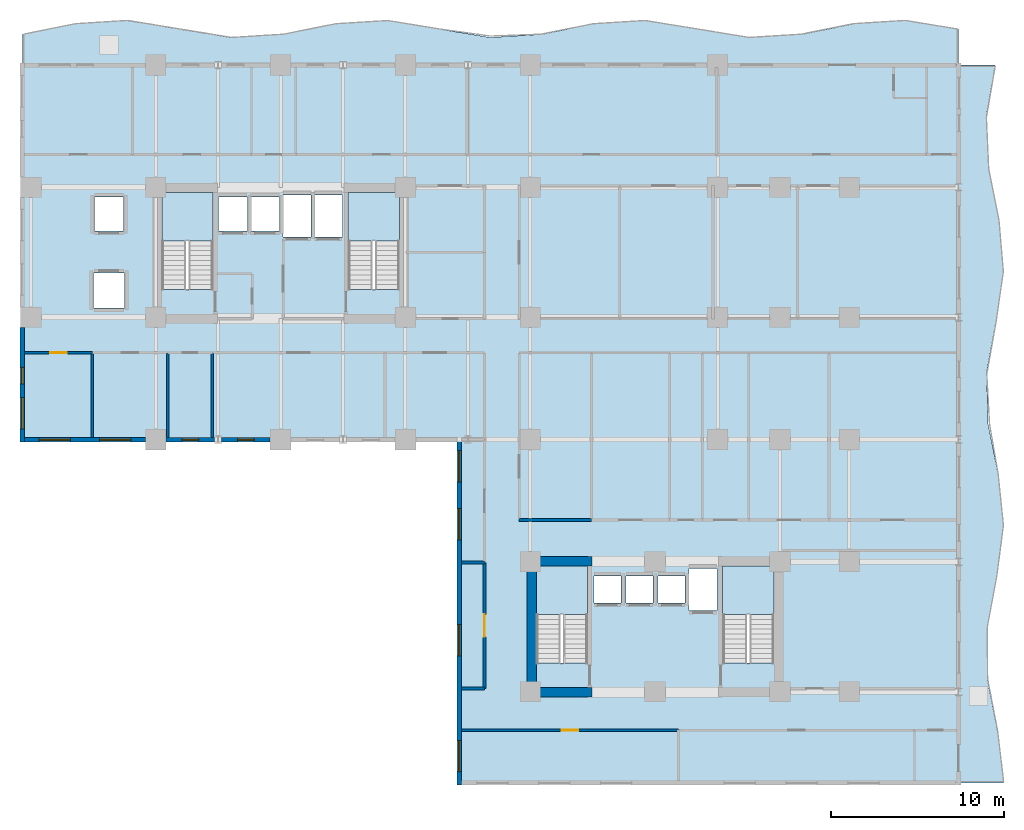
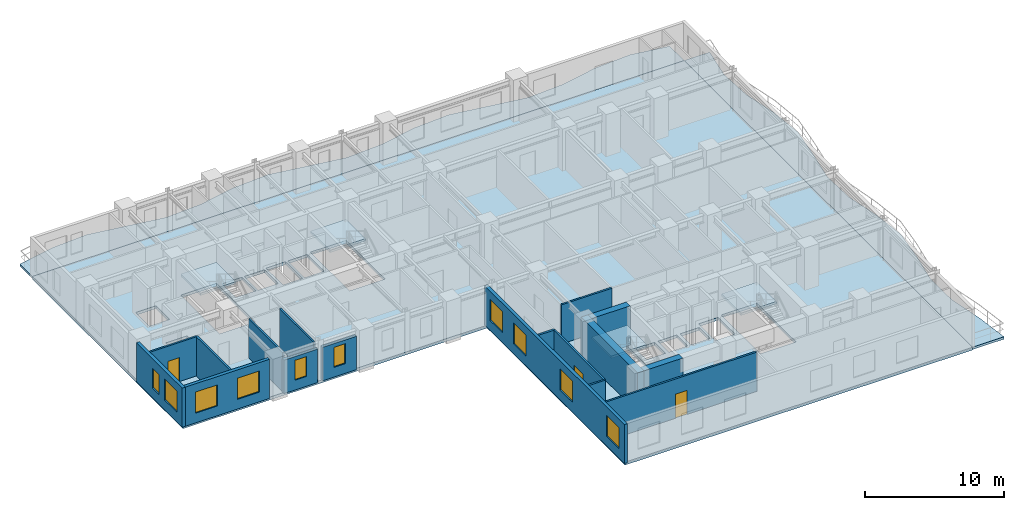
# One storey, part 2 of 11: 17 walls, 10 windows, 7 slabs, 3 doors, 13 openings, 4 elements without a shape of their own.
"""IFC4 building model written with IfcOpenShell, lengths in metres."""

from ifc_helpers import new_model, si_unit, direction, frame, frame_2d, origin, place, context, subcontext, project, spatial, polyline, rectangle, outline, extrude, material, layer, layer_set, type_object, element, fill, aggregate, save


model = new_model("IFC4")

# Units and contexts
model_context = context("Model", 3, precision=1e-05, world=origin(), true_north=direction((0.0, 1.0)))
body_context = subcontext(model_context, "Body", "Model", "MODEL_VIEW")
ifc_project = project(units=[si_unit("LENGTHUNIT", "METRE"), si_unit("AREAUNIT", "SQUARE_METRE"), si_unit("VOLUMEUNIT", "CUBIC_METRE"), si_unit("PLANEANGLEUNIT", "RADIAN"), si_unit("MASSUNIT", "GRAM", prefix="KILO")], contexts=[model_context])

# Site, building, storey
site_placement = place(None, origin())
site = spatial("IfcSite", under=ifc_project, at=site_placement, CompositionType="ELEMENT")
building_placement = place(site_placement, origin())
building = spatial("IfcBuilding", under=site, at=building_placement, Name="Kaliganga Portal Commons", CompositionType="ELEMENT")
storey_placement = place(building_placement, frame((0.0, 0.0, 86.0)))
storey = spatial("IfcBuildingStorey", under=building, at=storey_placement, Name="L21", CompositionType="ELEMENT", Elevation=86.0)

# Slabs
ifc_material_1 = material(Name="Concrete C40/50", Category="concrete")
ifc_layer_1 = layer(ifc_material_1, 0.2099609375)
ifc_layer_set_1 = layer_set([ifc_layer_1], Name="Concrete C40/50")
slab_type_1 = type_object("IfcSlabType", Name="SLB-BALC-210", PredefinedType="FLOOR", material=ifc_layer_set_1)
slab_1_placement = place(storey_placement, frame((0.0, 0.0, -0.2099609375)))
element("IfcSlab", 1, at=slab_1_placement, inside=storey, type_object=slab_type_1, Name="Scalloped Tree-Planter Balcony Slab L21 balc_north", PredefinedType="FLOOR", context=body_context, shape_type="SweptSolid", body=[
    extrude(outline(polyline([(60.699951171875, 43.199951171875), (60.699951171875, 45.282470703125), (57.699951171875, 45.774658203125), (54.699951171875, 45.586669921875), (51.699951171875, 44.97802734375), (48.699951171875, 44.7900390625), (45.699951171875, 45.282470703125), (42.699951171875, 45.774658203125), (39.699951171875, 45.586669921875), (36.699951171875, 44.97802734375), (33.699951171875, 44.7900390625), (30.699951171875, 45.282470703125), (27.699951171875, 45.774658203125), (24.699951171875, 45.586669921875), (21.699951171875, 44.97802734375), (18.699951171875, 44.7900390625), (15.699951171875, 45.282470703125), (12.699951171875, 45.774658203125), (9.699951171875, 45.586669921875), (6.699951171875, 44.97802734375), (6.699951171875, 43.199951171875), (60.699951171875, 43.199951171875)])), origin(), (0.0, 0.0, 1.0), 0.2099609375),
])
slab_2_placement = place(storey_placement, frame((0.0, 0.0, -0.2099609375)))
element("IfcSlab", 2, at=slab_2_placement, inside=storey, type_object=slab_type_1, Name="Scalloped Tree-Planter Balcony Slab L21 balc_east", PredefinedType="FLOOR", context=body_context, shape_type="SweptSolid", body=[
    extrude(outline(polyline([(60.699951171875, 1.800048828125), (63.300048828125, 1.800048828125), (62.951171875, 4.757080078125), (62.374755859375, 7.71435546875), (62.347900390625, 10.67138671875), (62.906494140625, 13.628662109375), (63.2978515625, 16.585693359375), (62.994384765625, 19.54296875), (62.405029296875, 22.5), (62.32421875, 25.45703125), (62.861083984375, 28.414306640625), (63.291748046875, 31.371337890625), (63.035888671875, 34.32861328125), (62.438232421875, 37.28564453125), (62.304443359375, 40.242919921875), (62.81494140625, 43.199951171875), (60.699951171875, 43.199951171875), (60.699951171875, 1.800048828125)])), origin(), (0.0, 0.0, 1.0), 0.2099609375),
])

# Stair, slab
stair_type = type_object("IfcStairType", Name="ST-CORE-DOGLEG", PredefinedType="HALF_TURN_STAIR", material=ifc_material_1)
stair_1_placement = place(storey_placement, origin())
stair_1 = element("IfcStair", 3, at=stair_1_placement, inside=storey, type_object=stair_type, Name="L21 Protected Exit Stair ST-A1", PredefinedType="HALF_TURN_STAIR")
ifc_layer_2 = layer(ifc_material_1, 0.199951171875)
ifc_layer_set_2 = layer_set([ifc_layer_2], Name="Concrete C40/50")
slab_type_2 = type_object("IfcSlabType", Name="SLB-STAIR-LND", PredefinedType="LANDING", material=ifc_layer_set_2)
slab_3_placement = place(storey_placement, frame((0.0, 0.0, 1.64990234375)))
slab_3 = element("IfcSlab", 4, at=slab_3_placement, type_object=slab_type_2, Name="ST-A1 landing 1", PredefinedType="LANDING", context=body_context, shape_type="SweptSolid", body=[
    extrude(outline(polyline([(17.699951171875, 33.050048828125), (17.699951171875, 35.85009765625), (14.75, 35.85009765625), (14.75, 33.050048828125), (17.699951171875, 33.050048828125)])), origin(), (0.0, 0.0, 1.0), 0.2001953125),
])
aggregate(stair_1, [slab_3])

stair_2_placement = place(storey_placement, origin())
stair_2 = element("IfcStair", 5, at=stair_2_placement, inside=storey, type_object=stair_type, Name="L21 Protected Exit Stair ST-A2", PredefinedType="HALF_TURN_STAIR")
slab_4_placement = place(storey_placement, frame((0.0, 0.0, 1.64990234375)))
slab_4 = element("IfcSlab", 6, at=slab_4_placement, type_object=slab_type_2, Name="ST-A2 landing 1", PredefinedType="LANDING", context=body_context, shape_type="SweptSolid", body=[
    extrude(outline(polyline([(28.449951171875, 33.050048828125), (28.449951171875, 35.85009765625), (25.5, 35.85009765625), (25.5, 33.050048828125), (28.449951171875, 33.050048828125)])), origin(), (0.0, 0.0, 1.0), 0.2001953125),
])
aggregate(stair_2, [slab_4])

stair_3_placement = place(storey_placement, origin())
stair_3 = element("IfcStair", 7, at=stair_3_placement, inside=storey, type_object=stair_type, Name="L21 Protected Exit Stair ST-B1", PredefinedType="HALF_TURN_STAIR")
slab_5_placement = place(storey_placement, frame((0.0, 0.0, 1.64990234375)))
slab_5 = element("IfcSlab", 8, at=slab_5_placement, type_object=slab_type_2, Name="ST-B1 landing 1", PredefinedType="LANDING", context=body_context, shape_type="SweptSolid", body=[
    extrude(outline(polyline([(39.300048828125, 11.5), (39.300048828125, 14.300048828125), (36.35009765625, 14.300048828125), (36.35009765625, 11.5), (39.300048828125, 11.5)])), origin(), (0.0, 0.0, 1.0), 0.2001953125),
])
aggregate(stair_3, [slab_5])

stair_4_placement = place(storey_placement, origin())
stair_4 = element("IfcStair", 9, at=stair_4_placement, inside=storey, type_object=stair_type, Name="L21 Protected Exit Stair ST-B2", PredefinedType="HALF_TURN_STAIR")
slab_6_placement = place(storey_placement, frame((0.0, 0.0, 1.64990234375)))
slab_6 = element("IfcSlab", 10, at=slab_6_placement, type_object=slab_type_2, Name="ST-B2 landing 1", PredefinedType="LANDING", context=body_context, shape_type="SweptSolid", body=[
    extrude(outline(polyline([(50.050048828125, 11.5), (50.050048828125, 14.300048828125), (47.10009765625, 14.300048828125), (47.10009765625, 11.5), (50.050048828125, 11.5)])), origin(), (0.0, 0.0, 1.0), 0.2001953125),
])
aggregate(stair_4, [slab_6])

# Slab
ifc_layer_3 = layer(ifc_material_1, 0.25)
ifc_layer_set_3 = layer_set([ifc_layer_3], Name="Concrete C40/50")
slab_type_3 = type_object("IfcSlabType", Name="SLB-TWR-250", PredefinedType="FLOOR", material=ifc_layer_set_3)
slab_7_placement = place(storey_placement, frame((0.0, 0.0, -0.25)))
element("IfcSlab", 11, at=slab_7_placement, inside=storey, type_object=slab_type_3, Name="Structural Floor Slab L21", PredefinedType="FLOOR", context=body_context, shape_type="SweptSolid", body=[
    extrude(outline(polyline([(31.89990234375, 1.800048828125), (60.699951171875, 1.800048828125), (60.699951171875, 43.199951171875), (6.699951171875, 43.199951171875), (6.699951171875, 21.60009765625), (31.89990234375, 21.60009765625), (31.89990234375, 1.800048828125)]), holes=[polyline([(14.75, 30.25390625), (14.75, 35.85009765625), (17.699951171875, 35.85009765625), (17.699951171875, 30.25390625), (14.75, 30.25390625)]), polyline([(25.5, 30.25390625), (25.5, 35.85009765625), (28.449951171875, 35.85009765625), (28.449951171875, 30.25390625), (25.5, 30.25390625)]), polyline([(36.35009765625, 8.7041015625), (36.35009765625, 14.300048828125), (39.300048828125, 14.300048828125), (39.300048828125, 8.7041015625), (36.35009765625, 8.7041015625)]), polyline([(47.10009765625, 8.7041015625), (47.10009765625, 14.300048828125), (50.050048828125, 14.300048828125), (50.050048828125, 8.7041015625), (47.10009765625, 8.7041015625)]), polyline([(18.014892578125, 33.614990234375), (18.014892578125, 35.5849609375), (19.68505859375, 35.5849609375), (19.68505859375, 33.614990234375), (18.014892578125, 33.614990234375)]), polyline([(19.864990234375, 33.614990234375), (19.864990234375, 35.5849609375), (21.534912109375, 35.5849609375), (21.534912109375, 33.614990234375), (19.864990234375, 33.614990234375)]), polyline([(10.81494140625, 29.18994140625), (10.81494140625, 31.2099609375), (12.5849609375, 31.2099609375), (12.5849609375, 29.18994140625), (10.81494140625, 29.18994140625)]), polyline([(10.864990234375, 33.614990234375), (10.864990234375, 35.5849609375), (12.534912109375, 35.5849609375), (12.534912109375, 33.614990234375), (10.864990234375, 33.614990234375)]), polyline([(21.739990234375, 33.2900390625), (21.739990234375, 35.7099609375), (23.360107421875, 35.7099609375), (23.360107421875, 33.2900390625), (21.739990234375, 33.2900390625)]), polyline([(23.5400390625, 33.2900390625), (23.5400390625, 35.7099609375), (25.159912109375, 35.7099609375), (25.159912109375, 33.2900390625), (23.5400390625, 33.2900390625)]), polyline([(39.6650390625, 12.1650390625), (39.6650390625, 13.735107421875), (41.235107421875, 13.735107421875), (41.235107421875, 12.1650390625), (39.6650390625, 12.1650390625)]), polyline([(41.514892578125, 12.1650390625), (41.514892578125, 13.735107421875), (43.0849609375, 13.735107421875), (43.0849609375, 12.1650390625), (41.514892578125, 12.1650390625)]), polyline([(43.364990234375, 12.1650390625), (43.364990234375, 13.735107421875), (44.93505859375, 13.735107421875), (44.93505859375, 12.1650390625), (43.364990234375, 12.1650390625)]), polyline([(45.139892578125, 11.739990234375), (45.139892578125, 14.159912109375), (46.760009765625, 14.159912109375), (46.760009765625, 11.739990234375), (45.139892578125, 11.739990234375)])]), origin(), (0.0, 0.0, 1.0), 0.25),
])

# Walls
ifc_material_2 = material(Name="Concrete C60/75", Category="concrete")
ifc_layer_4 = layer(ifc_material_2, 0.550048828125)
ifc_layer_set_4 = layer_set([ifc_layer_4], Name="Concrete C60/75")
wall_type_1 = type_object("IfcWallType", Name="WL-CORE-550", PredefinedType="SHEAR", material=ifc_layer_set_4)
wall_1_placement = place(storey_placement, frame((36.074951171875, 6.75, 0.0), z_axis=(0.0, 0.0, 1.0), x_axis=(0.0, 1.0, 0.0)))
element("IfcWall", 12, at=wall_1_placement, inside=storey, type_object=wall_type_1, Name="Core B West Shear Wall L21", PredefinedType="SHEAR", context=body_context, shape_type="SweptSolid", body=[
    extrude(rectangle(XDim=8.10009765625, YDim=0.550048828125, at=frame_2d((4.050048828125, 0.0))), origin(), (0.0, 0.0, 1.0), 3.449951171875),
])
for number, where, z_axis, x_axis, name in (
    (13, (36.35009765625, 7.02490234375, 0.0), (0.0, 0.0, 1.0), (1.0, 0.0, 0.0), "Core B S-West Shear Wall L21"),
    (14, (36.35009765625, 14.574951171875, 0.0), (0.0, 0.0, 1.0), (1.0, 0.0, 0.0), "Core B N-West Shear Wall L21"),
):
    element("IfcWall", number, at=place(storey_placement, frame(where, z_axis=z_axis, x_axis=x_axis)), inside=storey, type_object=wall_type_1, Name=name, PredefinedType="SHEAR", context=body_context, shape_type="SweptSolid", body=[
        extrude(rectangle(XDim=3.199951171875, YDim=0.550048828125, at=frame_2d((1.60009765625, 0.0))), origin(), (0.0, 0.0, 1.0), 3.449951171875),
    ])

# Wall, openings, windows
ifc_material_3 = material(Name="Insulated Aluminium-Clad Spandrel Assembly", Category="aluminium")
ifc_layer_5 = layer(ifc_material_3, 0.260009765625)
ifc_layer_set_5 = layer_set([ifc_layer_5], Name="Insulated Aluminium-Clad Spandrel Assembly")
wall_type_2 = type_object("IfcWallType", Name="WL-EXT-SPAND-260", PredefinedType="STANDARD", material=ifc_layer_set_5)
wall_2_placement = place(storey_placement, frame((6.699951171875, 21.469970703125, 0.0), z_axis=(0.0, 0.0, 1.0), x_axis=(0.0, 1.0, 0.0)))
wall_2 = element("IfcWall", 15, at=wall_2_placement, inside=storey, type_object=wall_type_2, Name="Exterior Envelope Wall L21 P1-E03-S3", PredefinedType="STANDARD", context=body_context, shape_type="SweptSolid", body=[
    extrude(rectangle(XDim=6.5791015625, YDim=0.260009765625, at=frame_2d((3.28955078125, 0.0))), origin(), (0.0, 0.0, 1.0), 3.429931640625),
])
opening_1_placement = place(wall_2_placement, frame((0.744873046875, 0.0, 0.85009765625)))
opening_1 = element("IfcOpeningElement", 16, at=opening_1_placement, cuts=wall_2, Name="Opening W-01", PredefinedType="OPENING", context=body_context, shape_type="SweptSolid", body=[
    extrude(rectangle(XDim=1.800048828125, YDim=1.85009765625, at=frame_2d((0.89990234375, 0.925048828125))), frame((0.0, 0.14013671875, 0.0), z_axis=(0.0, -1.0, 0.0), x_axis=(1.0, 0.0, 0.0)), (0.0, 0.0, 1.0), 0.280029296875),
])
opening_2_placement = place(wall_2_placement, frame((3.3408203125, 0.0, 0.85009765625)))
opening_2 = element("IfcOpeningElement", 17, at=opening_2_placement, cuts=wall_2, Name="Opening W-04", PredefinedType="OPENING", context=body_context, shape_type="SweptSolid", body=[
    extrude(rectangle(XDim=0.949951171875, YDim=1.75, at=frame_2d((0.47509765625, 0.875))), frame((0.0, 0.14013671875, 0.0), z_axis=(0.0, -1.0, 0.0), x_axis=(1.0, 0.0, 0.0)), (0.0, 0.0, 1.0), 0.280029296875),
])
ifc_material_4 = material(Name="Thermally Broken Aluminium and Low-E Double Glazing", Category="aluminium")
window_type_1 = type_object("IfcWindowType", Name="WIN-NARROW-950", PartitioningType="SINGLE_PANEL", PredefinedType="WINDOW", material=ifc_material_4)
window_1_placement = place(opening_2_placement, origin())
window_1 = element("IfcWindow", 18, at=window_1_placement, inside=storey, type_object=window_type_1, Name="Facade Window L21-P1E03S3-N6", OverallHeight=1.75, OverallWidth=0.949951171875, PartitioningType="SINGLE_PANEL", PredefinedType="WINDOW", context=body_context, shape_type="SweptSolid", body=[
    extrude(rectangle(XDim=0.949951171875, YDim=1.75, at=frame_2d((0.47509765625, 0.875))), frame((0.0, 0.030029296875, 0.0), z_axis=(0.0, -1.0, 0.0), x_axis=(1.0, 0.0, 0.0)), (0.0, 0.0, 1.0), 0.06005859375),
])
fill(opening_2, window_1)
window_type_2 = type_object("IfcWindowType", Name="WIN-STD-1800", PartitioningType="DOUBLE_PANEL_VERTICAL", PredefinedType="WINDOW", material=ifc_material_4)
window_2_placement = place(opening_1_placement, origin())
window_2 = element("IfcWindow", 19, at=window_2_placement, inside=storey, type_object=window_type_2, Name="Facade Window L21-P1E03S3-00", OverallHeight=1.85009765625, OverallWidth=1.800048828125, PartitioningType="SINGLE_PANEL", PredefinedType="WINDOW", context=body_context, shape_type="SweptSolid", body=[
    extrude(rectangle(XDim=1.800048828125, YDim=1.85009765625, at=frame_2d((0.89990234375, 0.925048828125))), frame((0.0, 0.030029296875, 0.0), z_axis=(0.0, -1.0, 0.0), x_axis=(1.0, 0.0, 0.0)), (0.0, 0.0, 1.0), 0.06005859375),
])
fill(opening_1, window_2)

wall_3_placement = place(storey_placement, frame((13.799072265625, 21.60009765625, 0.0), z_axis=(0.0, 0.0, 1.0), x_axis=(-1.0, 0.0, 0.0)))
wall_3 = element("IfcWall", 20, at=wall_3_placement, inside=storey, type_object=wall_type_2, Name="Exterior Envelope Wall L21 P1-E04-S1", PredefinedType="STANDARD", context=body_context, shape_type="SweptSolid", body=[
    extrude(rectangle(XDim=6.964111328125, YDim=0.260009765625, at=frame_2d((3.48193359375, 0.0))), origin(), (0.0, 0.0, 1.0), 3.429931640625),
])
opening_3_placement = place(wall_3_placement, frame((0.841064453125, 0.0, 0.85009765625)))
opening_3 = element("IfcOpeningElement", 21, at=opening_3_placement, cuts=wall_3, Name="Opening W-01", PredefinedType="OPENING", context=body_context, shape_type="SweptSolid", body=[
    extrude(rectangle(XDim=1.800048828125, YDim=1.85009765625, at=frame_2d((0.89990234375, 0.925048828125))), frame((0.0, 0.14013671875, 0.0), z_axis=(0.0, -1.0, 0.0), x_axis=(1.0, 0.0, 0.0)), (0.0, 0.0, 1.0), 0.280029296875),
])
opening_4_placement = place(wall_3_placement, frame((4.322998046875, 0.0, 0.85009765625)))
opening_4 = element("IfcOpeningElement", 22, at=opening_4_placement, cuts=wall_3, Name="Opening W-01", PredefinedType="OPENING", context=body_context, shape_type="SweptSolid", body=[
    extrude(rectangle(XDim=1.800048828125, YDim=1.85009765625, at=frame_2d((0.89990234375, 0.925048828125))), frame((0.0, 0.14013671875, 0.0), z_axis=(0.0, -1.0, 0.0), x_axis=(1.0, 0.0, 0.0)), (0.0, 0.0, 1.0), 0.280029296875),
])
window_3_placement = place(opening_3_placement, origin())
window_3 = element("IfcWindow", 23, at=window_3_placement, inside=storey, type_object=window_type_2, Name="Facade Window L21-P1E04S1-00", OverallHeight=1.85009765625, OverallWidth=1.800048828125, PartitioningType="SINGLE_PANEL", PredefinedType="WINDOW", context=body_context, shape_type="SweptSolid", body=[
    extrude(rectangle(XDim=1.800048828125, YDim=1.85009765625, at=frame_2d((0.89990234375, 0.925048828125))), frame((0.0, 0.030029296875, 0.0), z_axis=(0.0, -1.0, 0.0), x_axis=(1.0, 0.0, 0.0)), (0.0, 0.0, 1.0), 0.06005859375),
])
fill(opening_3, window_3)
window_4_placement = place(opening_4_placement, origin())
window_4 = element("IfcWindow", 24, at=window_4_placement, inside=storey, type_object=window_type_2, Name="Facade Window L21-P1E04S1-01", OverallHeight=1.85009765625, OverallWidth=1.800048828125, PartitioningType="SINGLE_PANEL", PredefinedType="WINDOW", context=body_context, shape_type="SweptSolid", body=[
    extrude(rectangle(XDim=1.800048828125, YDim=1.85009765625, at=frame_2d((0.89990234375, 0.925048828125))), frame((0.0, 0.030029296875, 0.0), z_axis=(0.0, -1.0, 0.0), x_axis=(1.0, 0.0, 0.0)), (0.0, 0.0, 1.0), 0.06005859375),
])
fill(opening_4, window_4)

# Wall, opening, window
wall_4_placement = place(storey_placement, frame((17.79443359375, 21.60009765625, 0.0), z_axis=(0.0, 0.0, 1.0), x_axis=(-1.0, 0.0, 0.0)))
wall_4 = element("IfcWall", 25, at=wall_4_placement, inside=storey, type_object=wall_type_2, Name="Exterior Envelope Wall L21 P1-E04-S2", PredefinedType="STANDARD", context=body_context, shape_type="SweptSolid", body=[
    extrude(rectangle(XDim=2.79345703125, YDim=0.260009765625, at=frame_2d((1.396728515625, 0.0))), origin(), (0.0, 0.0, 1.0), 2.929931640625),
])
opening_5_placement = place(wall_4_placement, frame((0.921630859375, 0.0, 0.85009765625)))
opening_5 = element("IfcOpeningElement", 26, at=opening_5_placement, cuts=wall_4, Name="Opening W-04", PredefinedType="OPENING", context=body_context, shape_type="SweptSolid", body=[
    extrude(rectangle(XDim=0.949951171875, YDim=1.75, at=frame_2d((0.47509765625, 0.875))), frame((0.0, 0.14013671875, 0.0), z_axis=(0.0, -1.0, 0.0), x_axis=(1.0, 0.0, 0.0)), (0.0, 0.0, 1.0), 0.280029296875),
])
window_5_placement = place(opening_5_placement, origin())
window_5 = element("IfcWindow", 27, at=window_5_placement, inside=storey, type_object=window_type_1, Name="Facade Window L21-P1E04S2-00", OverallHeight=1.75, OverallWidth=0.949951171875, PartitioningType="SINGLE_PANEL", PredefinedType="WINDOW", context=body_context, shape_type="SweptSolid", body=[
    extrude(rectangle(XDim=0.949951171875, YDim=1.75, at=frame_2d((0.47509765625, 0.875))), frame((0.0, 0.030029296875, 0.0), z_axis=(0.0, -1.0, 0.0), x_axis=(1.0, 0.0, 0.0)), (0.0, 0.0, 1.0), 0.06005859375),
])
fill(opening_5, window_5)

wall_5_placement = place(storey_placement, frame((20.9990234375, 21.60009765625, 0.0), z_axis=(0.0, 0.0, 1.0), x_axis=(-1.0, 0.0, 0.0)))
wall_5 = element("IfcWall", 28, at=wall_5_placement, inside=storey, type_object=wall_type_2, Name="Exterior Envelope Wall L21 P1-E04-S3", PredefinedType="STANDARD", context=body_context, shape_type="SweptSolid", body=[
    extrude(rectangle(XDim=2.79345703125, YDim=0.260009765625, at=frame_2d((1.396728515625, 0.0))), origin(), (0.0, 0.0, 1.0), 2.929931640625),
])
opening_6_placement = place(wall_5_placement, frame((0.921630859375, 0.0, 0.85009765625)))
opening_6 = element("IfcOpeningElement", 29, at=opening_6_placement, cuts=wall_5, Name="Opening W-04", PredefinedType="OPENING", context=body_context, shape_type="SweptSolid", body=[
    extrude(rectangle(XDim=0.949951171875, YDim=1.75, at=frame_2d((0.47509765625, 0.875))), frame((0.0, 0.14013671875, 0.0), z_axis=(0.0, -1.0, 0.0), x_axis=(1.0, 0.0, 0.0)), (0.0, 0.0, 1.0), 0.280029296875),
])
window_6_placement = place(opening_6_placement, origin())
window_6 = element("IfcWindow", 30, at=window_6_placement, inside=storey, type_object=window_type_1, Name="Facade Window L21-P1E04S3-00", OverallHeight=1.75, OverallWidth=0.949951171875, PartitioningType="SINGLE_PANEL", PredefinedType="WINDOW", context=body_context, shape_type="SweptSolid", body=[
    extrude(rectangle(XDim=0.949951171875, YDim=1.75, at=frame_2d((0.47509765625, 0.875))), frame((0.0, 0.030029296875, 0.0), z_axis=(0.0, -1.0, 0.0), x_axis=(1.0, 0.0, 0.0)), (0.0, 0.0, 1.0), 0.06005859375),
])
fill(opening_6, window_6)

# Wall, openings, windows
wall_6_placement = place(storey_placement, frame((31.89990234375, 1.669921875, 0.0), z_axis=(0.0, 0.0, 1.0), x_axis=(0.0, 1.0, 0.0)))
wall_6 = element("IfcWall", 31, at=wall_6_placement, inside=storey, type_object=wall_type_2, Name="Exterior Envelope Wall L21 P1-E05-S1", PredefinedType="STANDARD", context=body_context, shape_type="SweptSolid", body=[
    extrude(rectangle(XDim=20.06005859375, YDim=0.260009765625, at=frame_2d((10.030029296875, 0.0))), origin(), (0.0, 0.0, 1.0), 3.429931640625),
])
opening_7_placement = place(wall_6_placement, frame((0.771728515625, 0.0, 0.85009765625)))
opening_7 = element("IfcOpeningElement", 32, at=opening_7_placement, cuts=wall_6, Name="Opening W-01", PredefinedType="OPENING", context=body_context, shape_type="SweptSolid", body=[
    extrude(rectangle(XDim=1.800048828125, YDim=1.85009765625, at=frame_2d((0.89990234375, 0.925048828125))), frame((0.0, 0.14013671875, 0.0), z_axis=(0.0, -1.0, 0.0), x_axis=(1.0, 0.0, 0.0)), (0.0, 0.0, 1.0), 0.280029296875),
])
opening_8_placement = place(wall_6_placement, frame((7.458251953125, 0.0, 0.85009765625)))
opening_8 = element("IfcOpeningElement", 33, at=opening_8_placement, cuts=wall_6, Name="Opening W-01", PredefinedType="OPENING", context=body_context, shape_type="SweptSolid", body=[
    extrude(rectangle(XDim=1.800048828125, YDim=1.85009765625, at=frame_2d((0.89990234375, 0.925048828125))), frame((0.0, 0.14013671875, 0.0), z_axis=(0.0, -1.0, 0.0), x_axis=(1.0, 0.0, 0.0)), (0.0, 0.0, 1.0), 0.280029296875),
])
opening_9_placement = place(wall_6_placement, frame((14.14501953125, 0.0, 0.85009765625)))
opening_9 = element("IfcOpeningElement", 34, at=opening_9_placement, cuts=wall_6, Name="Opening W-01", PredefinedType="OPENING", context=body_context, shape_type="SweptSolid", body=[
    extrude(rectangle(XDim=1.800048828125, YDim=1.85009765625, at=frame_2d((0.89990234375, 0.925048828125))), frame((0.0, 0.14013671875, 0.0), z_axis=(0.0, -1.0, 0.0), x_axis=(1.0, 0.0, 0.0)), (0.0, 0.0, 1.0), 0.280029296875),
])
opening_10_placement = place(wall_6_placement, frame((17.48828125, 0.0, 0.85009765625)))
opening_10 = element("IfcOpeningElement", 35, at=opening_10_placement, cuts=wall_6, Name="Opening W-01", PredefinedType="OPENING", context=body_context, shape_type="SweptSolid", body=[
    extrude(rectangle(XDim=1.800048828125, YDim=1.85009765625, at=frame_2d((0.89990234375, 0.925048828125))), frame((0.0, 0.14013671875, 0.0), z_axis=(0.0, -1.0, 0.0), x_axis=(1.0, 0.0, 0.0)), (0.0, 0.0, 1.0), 0.280029296875),
])
window_7_placement = place(opening_7_placement, origin())
window_7 = element("IfcWindow", 36, at=window_7_placement, inside=storey, type_object=window_type_2, Name="Facade Window L21-P1E05S1-00", OverallHeight=1.85009765625, OverallWidth=1.800048828125, PartitioningType="SINGLE_PANEL", PredefinedType="WINDOW", context=body_context, shape_type="SweptSolid", body=[
    extrude(rectangle(XDim=1.800048828125, YDim=1.85009765625, at=frame_2d((0.89990234375, 0.925048828125))), frame((0.0, 0.030029296875, 0.0), z_axis=(0.0, -1.0, 0.0), x_axis=(1.0, 0.0, 0.0)), (0.0, 0.0, 1.0), 0.06005859375),
])
fill(opening_7, window_7)
window_8_placement = place(opening_8_placement, origin())
window_8 = element("IfcWindow", 37, at=window_8_placement, inside=storey, type_object=window_type_2, Name="Facade Window L21-P1E05S1-02", OverallHeight=1.85009765625, OverallWidth=1.800048828125, PartitioningType="SINGLE_PANEL", PredefinedType="WINDOW", context=body_context, shape_type="SweptSolid", body=[
    extrude(rectangle(XDim=1.800048828125, YDim=1.85009765625, at=frame_2d((0.89990234375, 0.925048828125))), frame((0.0, 0.030029296875, 0.0), z_axis=(0.0, -1.0, 0.0), x_axis=(1.0, 0.0, 0.0)), (0.0, 0.0, 1.0), 0.06005859375),
])
fill(opening_8, window_8)
window_9_placement = place(opening_9_placement, origin())
window_9 = element("IfcWindow", 38, at=window_9_placement, inside=storey, type_object=window_type_2, Name="Facade Window L21-P1E05S1-04", OverallHeight=1.85009765625, OverallWidth=1.800048828125, PartitioningType="SINGLE_PANEL", PredefinedType="WINDOW", context=body_context, shape_type="SweptSolid", body=[
    extrude(rectangle(XDim=1.800048828125, YDim=1.85009765625, at=frame_2d((0.89990234375, 0.925048828125))), frame((0.0, 0.030029296875, 0.0), z_axis=(0.0, -1.0, 0.0), x_axis=(1.0, 0.0, 0.0)), (0.0, 0.0, 1.0), 0.06005859375),
])
fill(opening_9, window_9)
window_10_placement = place(opening_10_placement, origin())
window_10 = element("IfcWindow", 39, at=window_10_placement, inside=storey, type_object=window_type_2, Name="Facade Window L21-P1E05S1-05", OverallHeight=1.85009765625, OverallWidth=1.800048828125, PartitioningType="SINGLE_PANEL", PredefinedType="WINDOW", context=body_context, shape_type="SweptSolid", body=[
    extrude(rectangle(XDim=1.800048828125, YDim=1.85009765625, at=frame_2d((0.89990234375, 0.925048828125))), frame((0.0, 0.030029296875, 0.0), z_axis=(0.0, -1.0, 0.0), x_axis=(1.0, 0.0, 0.0)), (0.0, 0.0, 1.0), 0.06005859375),
])
fill(opening_10, window_10)

# Wall, opening, door
ifc_material_5 = material(Name="Fire-Rated Gypsum Board on Steel Stud", Category="steel")
ifc_layer_6 = layer(ifc_material_5, 0.14990234375)
ifc_layer_set_6 = layer_set([ifc_layer_6], Name="Fire-Rated Gypsum Board on Steel Stud")
wall_type_3 = type_object("IfcWallType", Name="WL-PART-CORR-150", PredefinedType="PARTITIONING", material=ifc_layer_set_6)
wall_7_placement = place(storey_placement, frame((32.031982421875, 4.840087890625, 0.0), z_axis=(0.0, 0.0, 1.0), x_axis=(1.0, 0.0, 0.0)))
wall_7 = element("IfcWall", 40, at=wall_7_placement, inside=storey, type_object=wall_type_3, Name="Interior Partition L21-006", PredefinedType="PARTITIONING", context=body_context, shape_type="SweptSolid", body=[
    extrude(rectangle(XDim=12.508056640625, YDim=0.14990234375, at=frame_2d((6.25390625, 0.0))), origin(), (0.0, 0.0, 1.0), 3.429931640625),
])
opening_11_placement = place(wall_7_placement, frame((5.779052734375, 0.0, 0.0)))
opening_11 = element("IfcOpeningElement", 41, at=opening_11_placement, cuts=wall_7, Name="Opening UD-01", PredefinedType="OPENING", context=body_context, shape_type="SweptSolid", body=[
    extrude(rectangle(XDim=0.949951171875, YDim=2.10009765625, at=frame_2d((0.47509765625, 1.050048828125))), frame((0.0, 0.0849609375, 0.0), z_axis=(0.0, -1.0, 0.0), x_axis=(1.0, 0.0, 0.0)), (0.0, 0.0, 1.0), 0.169921875),
])
ifc_material_6 = material(Name="Solid-Core Timber Acoustic Fire Door", Category="wood")
door_type_1 = type_object("IfcDoorType", Name="DR-UNIT-950", OperationType="NOTDEFINED", PredefinedType="DOOR", material=ifc_material_6)
door_1_placement = place(opening_11_placement, origin())
door_1 = element("IfcDoor", 42, at=door_1_placement, inside=storey, type_object=door_type_1, Name="Interior Door L21-BS01", OperationType="SINGLE_SWING_LEFT", OverallHeight=2.10009765625, OverallWidth=0.949951171875, PredefinedType="DOOR", context=body_context, shape_type="SweptSolid", body=[
    extrude(rectangle(XDim=0.949951171875, YDim=2.10009765625, at=frame_2d((0.47509765625, 1.050048828125))), frame((0.0, 0.02490234375, 0.0), z_axis=(0.0, -1.0, 0.0), x_axis=(1.0, 0.0, 0.0)), (0.0, 0.0, 1.0), 0.050048828125),
])
fill(opening_11, door_1)

wall_8_placement = place(storey_placement, frame((33.360107421875, 7.239990234375, 0.0), z_axis=(0.0, 0.0, 1.0), x_axis=(0.0, 1.0, 0.0)))
wall_8 = element("IfcWall", 43, at=wall_8_placement, inside=storey, type_object=wall_type_3, Name="Interior Partition L21-018", PredefinedType="PARTITIONING", context=body_context, shape_type="SweptSolid", body=[
    extrude(rectangle(XDim=7.260009765625, YDim=0.14990234375, at=frame_2d((3.6298828125, 0.0))), origin(), (0.0, 0.0, 1.0), 3.429931640625),
])
opening_12_placement = place(wall_8_placement, frame((2.97998046875, 0.0, 0.0)))
opening_12 = element("IfcOpeningElement", 44, at=opening_12_placement, cuts=wall_8, Name="Opening RD-03", PredefinedType="OPENING", context=body_context, shape_type="SweptSolid", body=[
    extrude(rectangle(XDim=1.300048828125, YDim=2.1201171875, at=frame_2d((0.64990234375, 1.06005859375))), frame((0.0, 0.0849609375, 0.0), z_axis=(0.0, -1.0, 0.0), x_axis=(1.0, 0.0, 0.0)), (0.0, 0.0, 1.0), 0.169921875),
])
ifc_material_7 = material(Name="Glazed Timber Seminar Vision Door", Category="wood")
door_type_2 = type_object("IfcDoorType", Name="DR-STUDY-1300", OperationType="DOUBLE_DOOR_SINGLE_SWING", PredefinedType="DOOR", material=ifc_material_7)
door_2_placement = place(opening_12_placement, origin())
door_2 = element("IfcDoor", 45, at=door_2_placement, inside=storey, type_object=door_type_2, Name="Interior Door L21-KW01", OperationType="DOUBLE_DOOR_SINGLE_SWING", OverallHeight=2.1201171875, OverallWidth=1.300048828125, PredefinedType="DOOR", context=body_context, shape_type="SweptSolid", body=[
    extrude(rectangle(XDim=1.300048828125, YDim=2.1201171875, at=frame_2d((0.64990234375, 1.06005859375))), frame((0.0, 0.02490234375, 0.0), z_axis=(0.0, -1.0, 0.0), x_axis=(1.0, 0.0, 0.0)), (0.0, 0.0, 1.0), 0.050048828125),
])
fill(opening_12, door_2)

# Wall
wall_9_placement = place(storey_placement, frame((35.360107421875, 16.9599609375, 0.0), z_axis=(0.0, 0.0, 1.0), x_axis=(1.0, 0.0, 0.0)))
element("IfcWall", 46, at=wall_9_placement, inside=storey, type_object=wall_type_3, Name="Interior Partition L21-033", PredefinedType="PARTITIONING", context=body_context, shape_type="SweptSolid", body=[
    extrude(rectangle(XDim=4.179931640625, YDim=0.14990234375, at=frame_2d((2.08984375, 0.0))), origin(), (0.0, 0.0, 1.0), 3.429931640625),
])

# Wall, opening, door
wall_10_placement = place(storey_placement, frame((6.83203125, 26.60009765625, 0.0), z_axis=(0.0, 0.0, 1.0), x_axis=(1.0, 0.0, 0.0)))
wall_10 = element("IfcWall", 47, at=wall_10_placement, inside=storey, type_object=wall_type_3, Name="Interior Partition L21-034", PredefinedType="PARTITIONING", context=body_context, shape_type="SweptSolid", body=[
    extrude(rectangle(XDim=3.907958984375, YDim=0.14990234375, at=frame_2d((1.9541015625, 0.0))), origin(), (0.0, 0.0, 1.0), 3.429931640625),
])
opening_13_placement = place(wall_10_placement, frame((1.47900390625, 0.0, 0.0)))
opening_13 = element("IfcOpeningElement", 48, at=opening_13_placement, cuts=wall_10, Name="Opening UD-01", PredefinedType="OPENING", context=body_context, shape_type="SweptSolid", body=[
    extrude(rectangle(XDim=0.949951171875, YDim=2.10009765625, at=frame_2d((0.47509765625, 1.050048828125))), frame((0.0, 0.0849609375, 0.0), z_axis=(0.0, -1.0, 0.0), x_axis=(1.0, 0.0, 0.0)), (0.0, 0.0, 1.0), 0.169921875),
])
door_3_placement = place(opening_13_placement, origin())
door_3 = element("IfcDoor", 49, at=door_3_placement, inside=storey, type_object=door_type_1, Name="Interior Door L21-AS01", OperationType="SINGLE_SWING_RIGHT", OverallHeight=2.10009765625, OverallWidth=0.949951171875, PredefinedType="DOOR", context=body_context, shape_type="SweptSolid", body=[
    extrude(rectangle(XDim=0.949951171875, YDim=2.10009765625, at=frame_2d((0.47509765625, 1.050048828125))), frame((0.0, 0.02490234375, 0.0), z_axis=(0.0, -1.0, 0.0), x_axis=(1.0, 0.0, 0.0)), (0.0, 0.0, 1.0), 0.050048828125),
])
fill(opening_13, door_3)

# Walls
wall_11_placement = place(storey_placement, frame((32.031982421875, 7.239990234375, 0.0), z_axis=(0.0, 0.0, 1.0), x_axis=(1.0, 0.0, 0.0)))
element("IfcWall", 50, at=wall_11_placement, inside=storey, type_object=wall_type_3, Name="Interior Partition L21-046", PredefinedType="PARTITIONING", context=body_context, shape_type="SweptSolid", body=[
    extrude(rectangle(XDim=1.328125, YDim=0.14990234375, at=frame_2d((0.6640625, 0.0))), origin(), (0.0, 0.0, 1.0), 3.429931640625),
])
ifc_material_8 = material(Name="Twin-Stud Acoustic Gypsum Partition", Category="gypsum")
ifc_layer_7 = layer(ifc_material_8, 0.1650390625)
ifc_layer_set_7 = layer_set([ifc_layer_7], Name="Twin-Stud Acoustic Gypsum Partition")
wall_type_4 = type_object("IfcWallType", Name="WL-PART-UNIT-165", PredefinedType="PARTITIONING", material=ifc_layer_set_7)
wall_12_placement = place(storey_placement, frame((10.739990234375, 21.73193359375, 0.0), z_axis=(0.0, 0.0, 1.0), x_axis=(0.0, 1.0, 0.0)))
element("IfcWall", 51, at=wall_12_placement, inside=storey, type_object=wall_type_4, Name="Interior Partition L21-065", PredefinedType="PARTITIONING", context=body_context, shape_type="SweptSolid", body=[
    extrude(rectangle(XDim=4.8681640625, YDim=0.1650390625, at=frame_2d((2.43408203125, 0.0))), origin(), (0.0, 0.0, 1.0), 3.429931640625),
])
wall_13_placement = place(storey_placement, frame((32.031982421875, 14.5, 0.0), z_axis=(0.0, 0.0, 1.0), x_axis=(1.0, 0.0, 0.0)))
element("IfcWall", 52, at=wall_13_placement, inside=storey, type_object=wall_type_4, Name="Interior Partition L21-082", PredefinedType="PARTITIONING", context=body_context, shape_type="SweptSolid", body=[
    extrude(rectangle(XDim=1.328125, YDim=0.1650390625, at=frame_2d((0.6640625, 0.0))), origin(), (0.0, 0.0, 1.0), 3.429931640625),
])
ifc_material_9 = material(Name="Cement-Board Wet-Room Partition", Category="gypsum")
ifc_layer_8 = layer(ifc_material_9, 0.135009765625)
ifc_layer_set_8 = layer_set([ifc_layer_8], Name="Cement-Board Wet-Room Partition")
wall_type_5 = type_object("IfcWallType", Name="WL-PART-WET-135", PredefinedType="PARTITIONING", material=ifc_layer_set_8)
for number, where, z_axis, x_axis, name in (
    (53, (15.10009765625, 21.73193359375, 0.0), (0.0, 0.0, 1.0), (0.0, 1.0, 0.0), "Interior Partition L21-066"),
    (54, (17.659912109375, 21.73193359375, 0.0), (0.0, 0.0, 1.0), (0.0, 1.0, 0.0), "Interior Partition L21-067"),
):
    element("IfcWall", number, at=place(storey_placement, frame(where, z_axis=z_axis, x_axis=x_axis)), inside=storey, type_object=wall_type_5, Name=name, PredefinedType="PARTITIONING", context=body_context, shape_type="SweptSolid", body=[
        extrude(rectangle(XDim=4.8681640625, YDim=0.135009765625, at=frame_2d((2.43408203125, 0.0))), origin(), (0.0, 0.0, 1.0), 3.429931640625),
    ])

save(model, "model.ifc")
